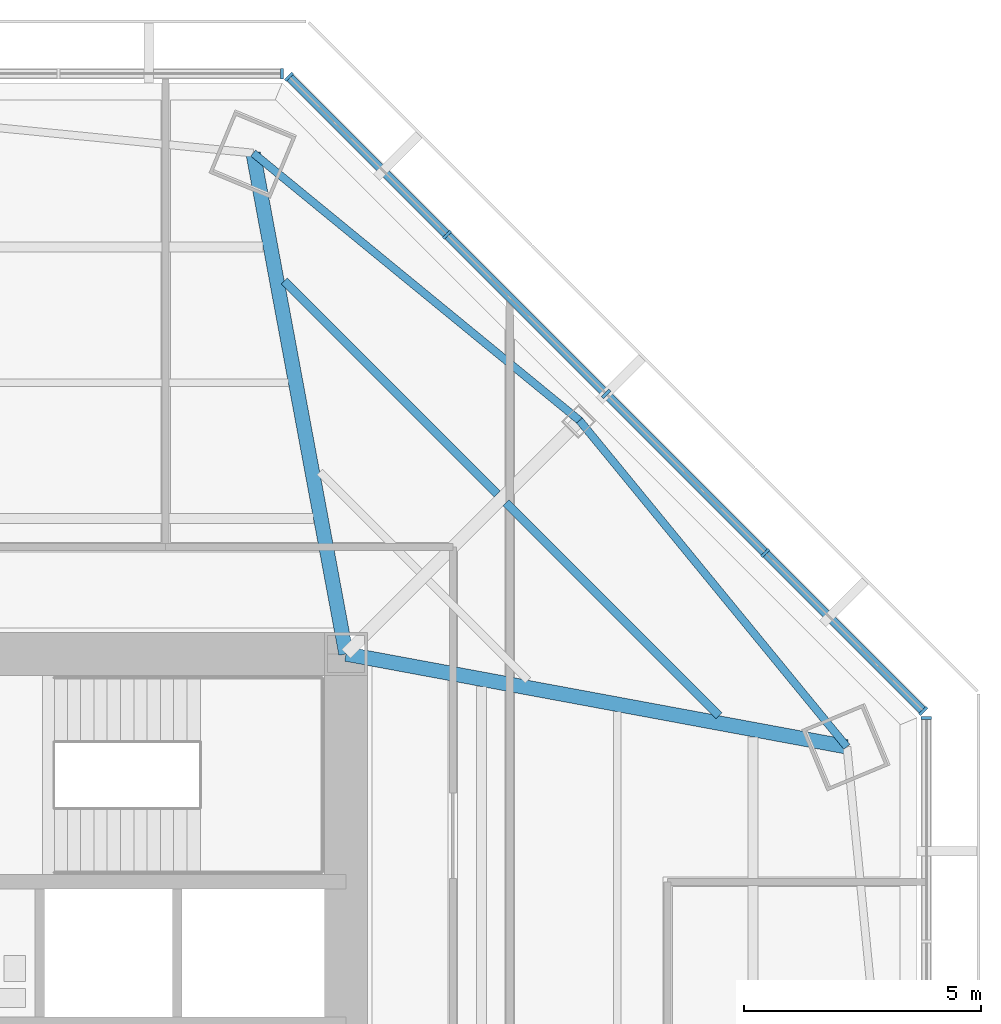
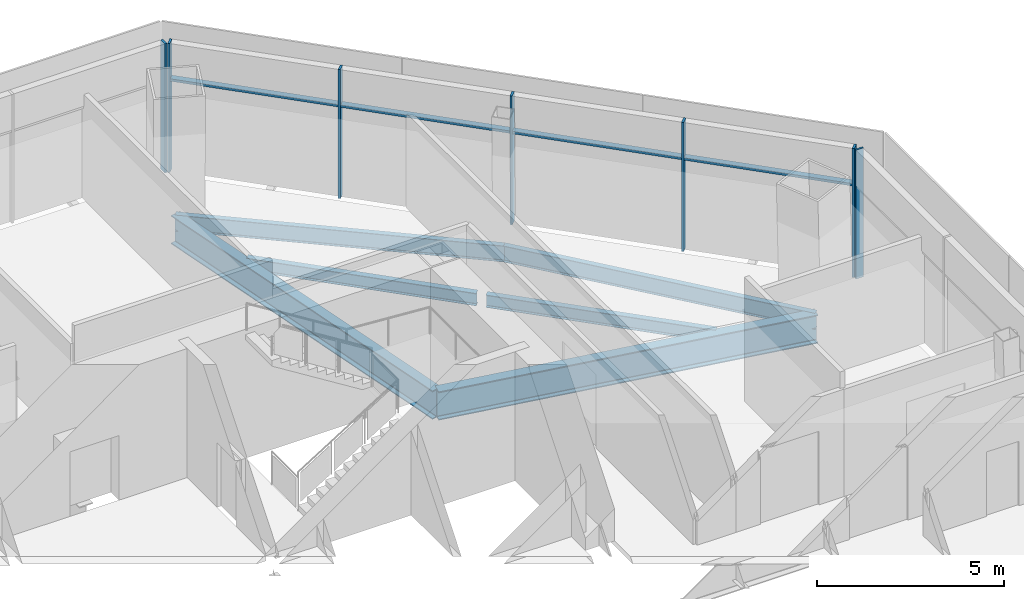
# One storey, part 6 of 15: 11 members, 6 beams, 3 elements without a shape of their own.
"""IFC4 building model written with IfcOpenShell, lengths in metres."""

from ifc_helpers import new_model, si_unit, direction, frame, origin, origin_2d, place, context, subcontext, project, spatial, rectangle, i_section, extrude, source, transform, mapped, material, material_profile, profile_set, type_object, type_shapes, element, aggregate, save


model = new_model("IFC4")

# Units and contexts
model_context = context("Model", 3, precision=1e-05, world=origin(), true_north=direction((0.0, 1.0)))
body_context = subcontext(model_context, "Body", "Model", "MODEL_VIEW")
ifc_project = project(units=[si_unit("LENGTHUNIT", "METRE"), si_unit("AREAUNIT", "SQUARE_METRE"), si_unit("VOLUMEUNIT", "CUBIC_METRE"), si_unit("PLANEANGLEUNIT", "RADIAN"), si_unit("MASSUNIT", "GRAM", prefix="KILO")], contexts=[model_context])

# Site, building, storey
site_placement = place(None, origin())
site = spatial("IfcSite", under=ifc_project, at=site_placement, CompositionType="ELEMENT")
building_placement = place(site_placement, origin())
building = spatial("IfcBuilding", under=site, at=building_placement, Name="Mashrafa Tower", CompositionType="ELEMENT")
storey_placement = place(building_placement, frame((0.0, 0.0, 176.39990234375)))
storey = spatial("IfcBuildingStorey", under=building, at=storey_placement, Name="L40", CompositionType="ELEMENT", Elevation=176.39990234375)

# Beams
ifc_material_1 = material(Name="Steel ASTM A992", Category="steel")
ifc_material_profile_1 = material_profile(ifc_material_1, i_section(OverallWidth=0.177734375, OverallDepth=0.406494140625, WebThickness=0.0078125, FlangeThickness=0.012939453125, FilletRadius=0.01025390625, at=origin_2d()), Name="W16X40")
ifc_profile_set_1 = profile_set([ifc_material_profile_1], Name="Steel ASTM A992")
beam_type_1 = type_object("IfcBeamType", Name="Beam W16X40", PredefinedType="BEAM", material=ifc_profile_set_1)
for number, where, z_axis, x_axis, name in (
    (1, (9.49951171875, 18.65869140625, -0.3681640625), (0.707087536258, -0.707126025591, 0.0), (0.707126025591, 0.707087536258, 0.0), "Floor beam L40 025"),
    (2, (14.17333984375, 13.984619140625, -0.3681640625), (0.707126025591, -0.707087536258, 0.0), (0.707087536258, 0.707126025591, 0.0), "Floor beam L40 034"),
):
    element("IfcBeam", number, at=place(storey_placement, frame(where, z_axis=z_axis, x_axis=x_axis)), inside=storey, type_object=beam_type_1, Name=name, PredefinedType="BEAM", context=body_context, shape_type="SweptSolid", body=[
        extrude(i_section(OverallWidth=0.177734375, OverallDepth=0.406494140625, WebThickness=0.0078125, FlangeThickness=0.012939453125, FilletRadius=0.01025390625, at=origin_2d()), origin(), (0.0, 0.0, 1.0), 6.343017578125),
    ])
ifc_material_2 = material(Name="Steel ASTM A992", Category="steel")
ifc_material_profile_2 = material_profile(ifc_material_2, i_section(OverallWidth=0.1650390625, OverallDepth=0.52587890625, WebThickness=0.0087890625, FlangeThickness=0.011474609375, FilletRadius=0.0126953125, at=origin_2d()), Name="W21X44")
ifc_profile_set_2 = profile_set([ifc_material_profile_2], Name="Steel ASTM A992")
beam_type_2 = type_object("IfcBeamType", Name="Beam W21X44", PredefinedType="BEAM", material=ifc_profile_set_2)
for number, where, z_axis, x_axis, name in (
    (3, (15.718505859375, 15.718505859375, -0.427734375), (-0.773517718955, 0.633774674835, 0.0), (-0.633774674835, -0.773517718955, 0.0), "Spandrel beam L40 069"),
    (4, (21.35107421875, 8.843994140625, -0.427734375), (-0.633774674835, 0.773517718955, 0.0), (-0.773517718955, -0.633774674835, 0.0), "Spandrel beam L40 071"),
):
    element("IfcBeam", number, at=place(storey_placement, frame(where, z_axis=z_axis, x_axis=x_axis)), inside=storey, type_object=beam_type_2, Name=name, PredefinedType="BEAM", context=body_context, shape_type="SweptSolid", body=[
        extrude(i_section(OverallWidth=0.1650390625, OverallDepth=0.52587890625, WebThickness=0.0087890625, FlangeThickness=0.011474609375, FilletRadius=0.0126953125, at=origin_2d()), origin(), (0.0, 0.0, 1.0), 8.887451171875),
    ])
ifc_material_3 = material(Name="Steel ASTM A992", Category="steel")
ifc_material_profile_3 = material_profile(ifc_material_3, i_section(OverallWidth=0.307373046875, OverallDepth=0.927001953125, WebThickness=0.01953125, FlangeThickness=0.031982421875, FilletRadius=0.01904296875, at=origin_2d()), Name="W36X194")
ifc_profile_set_3 = profile_set([ifc_material_profile_3], Name="Steel ASTM A992")
beam_type_3 = type_object("IfcBeamType", Name="Beam W36X194", PredefinedType="BEAM", material=ifc_profile_set_3)
for number, where, z_axis, x_axis, name in (
    (5, (10.800048828125, 10.800048828125, -0.62841796875), (-0.182283970917, 0.983245927501, 0.0), (-0.983245927501, -0.182283970917, 0.0), "Radial girder L40 054"),
    (6, (10.800048828125, 10.800048828125, -0.62841796875), (0.983245927501, -0.182283970917, 0.0), (0.182283970917, 0.983245927501, 0.0), "Radial girder L40 056"),
):
    element("IfcBeam", number, at=place(storey_placement, frame(where, z_axis=z_axis, x_axis=x_axis)), inside=storey, type_object=beam_type_3, Name=name, PredefinedType="BEAM", context=body_context, shape_type="SweptSolid", body=[
        extrude(i_section(OverallWidth=0.307373046875, OverallDepth=0.927001953125, WebThickness=0.01953125, FlangeThickness=0.031982421875, FilletRadius=0.01904296875, at=origin_2d()), origin(), (0.0, 0.0, 1.0), 10.730712890625),
    ])

# Curtain wall, member
ifc_material_4 = material(Name="Unitised aluminium curtain wall", Category="aluminium")
curtain_wall_type = type_object("IfcCurtainWallType", Name="Office curtain wall, zone 2 CW-B 225 deep", PredefinedType="NOTDEFINED", material=ifc_material_4)
curtain_wall_1_placement = place(storey_placement, origin())
curtain_wall_1 = element("IfcCurtainWall", 7, at=curtain_wall_1_placement, inside=storey, type_object=curtain_wall_type, Name="Office curtain wall, zone 2 L40 east", PredefinedType="NOTDEFINED")
ifc_material_5 = material(Name="Extruded aluminium mullion", Category="aluminium")
ifc_material_profile_4 = material_profile(ifc_material_5, rectangle(XDim=0.22509765625, YDim=0.06494140625, at=origin_2d()), Name="Mullion 65x225")
ifc_profile_set_4 = profile_set([ifc_material_profile_4], Name="Extruded aluminium mullion")
member_type_1 = type_object("IfcMemberType", Name="Mullion CW-B 65 x 225", PredefinedType="MULLION", material=ifc_profile_set_4)
shared_shape_1 = source(origin(), body_context, "Body", "SweptSolid", [
    extrude(rectangle(XDim=0.22509765625, YDim=0.06494140625, at=origin_2d()), origin(), (0.0, 0.0, 1.0), 4.2001953125),
])
type_shapes(member_type_1, [shared_shape_1])
member_1_placement = place(storey_placement, frame((23.024658203125, 9.447998046875, 0.0), z_axis=(0.0, 0.0, 1.0), x_axis=(-1.0, 0.0, 0.0)))
member_1 = element("IfcMember", 8, at=member_1_placement, type_object=member_type_1, Name="CW-B mullion 5", PredefinedType="MULLION", context=body_context, shape_type="MappedRepresentation", body=[
    mapped(shared_shape_1, transform((0.0, 0.0, 0.0))),
])
aggregate(curtain_wall_1, [member_1])

# Curtain wall, members
curtain_wall_2_placement = place(storey_placement, origin())
curtain_wall_2 = element("IfcCurtainWall", 9, at=curtain_wall_2_placement, inside=storey, type_object=curtain_wall_type, Name="Office curtain wall, zone 2 L40 north-east", PredefinedType="NOTDEFINED")
member_2_placement = place(storey_placement, frame((22.961669921875, 9.60009765625, 0.0), z_axis=(0.0, 0.0, 1.0), x_axis=(-0.707106781187, -0.707106781187, 0.0)))
member_2 = element("IfcMember", 10, at=member_2_placement, type_object=member_type_1, Name="CW-B mullion 1", PredefinedType="MULLION", context=body_context, shape_type="MappedRepresentation", body=[
    mapped(shared_shape_1, transform((0.0, 0.0, 0.0))),
])
member_3_placement = place(storey_placement, frame((19.6328125, 12.928955078125, 0.0), z_axis=(0.0, 0.0, 1.0), x_axis=(-0.707106781187, -0.707106781187, 0.0)))
member_3 = element("IfcMember", 11, at=member_3_placement, type_object=member_type_1, Name="CW-B mullion 2", PredefinedType="MULLION", context=body_context, shape_type="MappedRepresentation", body=[
    mapped(shared_shape_1, transform((0.0, 0.0, 0.0))),
])
member_4_placement = place(storey_placement, frame((16.28076171875, 16.28076171875, 0.0), z_axis=(0.0, 0.0, 1.0), x_axis=(-0.707106781187, -0.707106781187, 0.0)))
member_4 = element("IfcMember", 12, at=member_4_placement, type_object=member_type_1, Name="CW-B mullion 3", PredefinedType="MULLION", context=body_context, shape_type="MappedRepresentation", body=[
    mapped(shared_shape_1, transform((0.0, 0.0, 0.0))),
])
member_5_placement = place(storey_placement, frame((12.928955078125, 19.6328125, 0.0), z_axis=(0.0, 0.0, 1.0), x_axis=(-0.707106781187, -0.707106781187, 0.0)))
member_5 = element("IfcMember", 13, at=member_5_placement, type_object=member_type_1, Name="CW-B mullion 4", PredefinedType="MULLION", context=body_context, shape_type="MappedRepresentation", body=[
    mapped(shared_shape_1, transform((0.0, 0.0, 0.0))),
])
member_6_placement = place(storey_placement, frame((9.60009765625, 22.961669921875, 0.0), z_axis=(0.0, 0.0, 1.0), x_axis=(-0.707106781187, -0.707106781187, 0.0)))
member_6 = element("IfcMember", 14, at=member_6_placement, type_object=member_type_1, Name="CW-B mullion 5", PredefinedType="MULLION", context=body_context, shape_type="MappedRepresentation", body=[
    mapped(shared_shape_1, transform((0.0, 0.0, 0.0))),
])

# Curtain wall, member
curtain_wall_3_placement = place(storey_placement, origin())
curtain_wall_3 = element("IfcCurtainWall", 15, at=curtain_wall_3_placement, inside=storey, type_object=curtain_wall_type, Name="Office curtain wall, zone 2 L40 north", PredefinedType="NOTDEFINED")
member_7_placement = place(storey_placement, frame((9.447998046875, 23.024658203125, 0.0), z_axis=(0.0, 0.0, 1.0), x_axis=(0.0, -1.0, 0.0)))
member_7 = element("IfcMember", 16, at=member_7_placement, type_object=member_type_1, Name="CW-B mullion 1", PredefinedType="MULLION", context=body_context, shape_type="MappedRepresentation", body=[
    mapped(shared_shape_1, transform((0.0, 0.0, 0.0))),
])
aggregate(curtain_wall_3, [member_7])

# Member
ifc_material_6 = material(Name="Extruded aluminium transom", Category="aluminium")
ifc_material_profile_5 = material_profile(ifc_material_6, rectangle(XDim=0.179931640625, YDim=0.080078125, at=origin_2d()), Name="Transom 80x180")
ifc_profile_set_5 = profile_set([ifc_material_profile_5], Name="Extruded aluminium transom")
member_type_2 = type_object("IfcMemberType", Name="Transom CW-B 80 x 180", PredefinedType="MULLION", material=ifc_profile_set_5)
shared_shape_2 = source(origin(), body_context, "Body", "SweptSolid", [
    extrude(rectangle(XDim=0.179931640625, YDim=0.080078125, at=origin_2d()), origin(), (0.0, 0.0, 1.0), 4.642822265625),
])
member_8_placement = place(storey_placement, frame((22.938720703125, 9.623046875, 3.0), z_axis=(-0.707106781187, 0.707106781187, 0.0), x_axis=(-0.707106781187, -0.707106781187, 0.0)))
member_8 = element("IfcMember", 17, at=member_8_placement, type_object=member_type_2, Name="CW-B transom 1", PredefinedType="MULLION", context=body_context, shape_type="MappedRepresentation", body=[
    mapped(shared_shape_2, transform((0.0, 0.0, 0.0))),
])

member_9_placement = place(storey_placement, frame((12.906005859375, 19.65576171875, 3.0), z_axis=(-0.707106781187, 0.707106781187, 0.0), x_axis=(-0.707106781187, -0.707106781187, 0.0)))
member_9 = element("IfcMember", 18, at=member_9_placement, type_object=member_type_2, Name="CW-B transom 4", PredefinedType="MULLION", context=body_context, shape_type="MappedRepresentation", body=[
    mapped(shared_shape_2, transform((0.0, 0.0, 0.0))),
])

shared_shape_3 = source(origin(), body_context, "Body", "SweptSolid", [
    extrude(rectangle(XDim=0.179931640625, YDim=0.080078125, at=origin_2d()), origin(), (0.0, 0.0, 1.0), 4.67529296875),
])
type_shapes(member_type_2, [shared_shape_2, shared_shape_3])
member_10_placement = place(storey_placement, frame((19.60986328125, 12.951904296875, 3.0), z_axis=(-0.707106781187, 0.707106781187, 0.0), x_axis=(-0.707106781187, -0.707106781187, 0.0)))
member_10 = element("IfcMember", 19, at=member_10_placement, type_object=member_type_2, Name="CW-B transom 2", PredefinedType="MULLION", context=body_context, shape_type="MappedRepresentation", body=[
    mapped(shared_shape_3, transform((0.0, 0.0, 0.0))),
])

member_11_placement = place(storey_placement, frame((16.2578125, 16.303955078125, 3.0), z_axis=(-0.707106781187, 0.707106781187, 0.0), x_axis=(-0.707106781187, -0.707106781187, 0.0)))
member_11 = element("IfcMember", 20, at=member_11_placement, type_object=member_type_2, Name="CW-B transom 3", PredefinedType="MULLION", context=body_context, shape_type="MappedRepresentation", body=[
    mapped(shared_shape_3, transform((0.0, 0.0, 0.0))),
])

aggregate(curtain_wall_2, [member_2, member_3, member_4, member_5, member_6, member_8, member_10, member_11, member_9])

save(model, "model.ifc")
